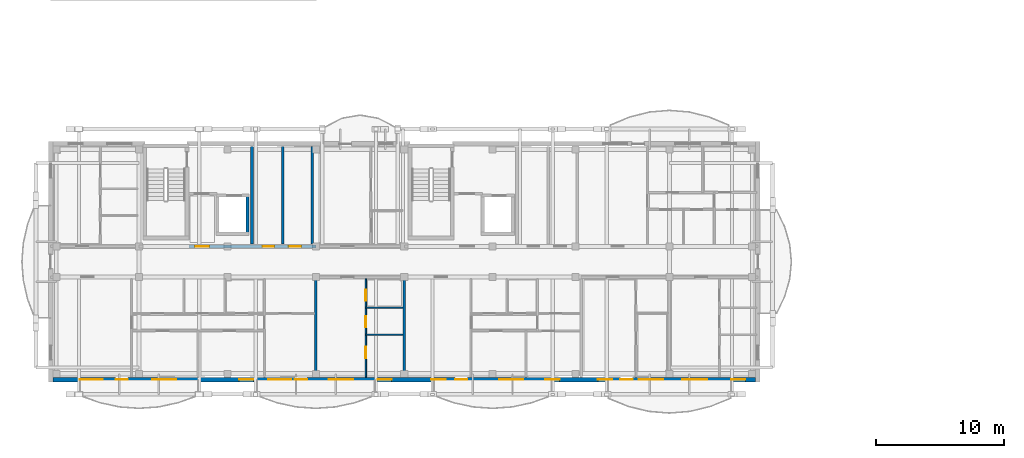
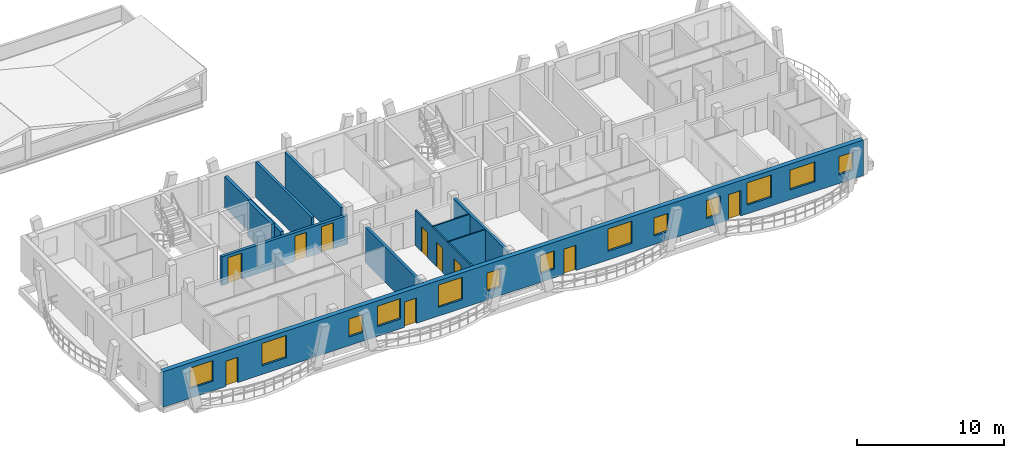
# One storey, part 18 of 50: 13 windows, 11 walls, 10 doors, 23 openings.
"""IFC4 building model written with IfcOpenShell, lengths in metres."""

from ifc_helpers import new_model, si_unit, direction, frame, frame_2d, origin, origin_with_axes, place, context, subcontext, project, spatial, rectangle, extrude, material, layer, layer_set, type_object, element, fill, save


model = new_model("IFC4")

# Units and contexts
model_context = context("Model", 3, precision=1e-05, world=origin(), true_north=direction((0.0, 1.0)))
body_context = subcontext(model_context, "Body", "Model", "MODEL_VIEW")
ifc_project = project(units=[si_unit("LENGTHUNIT", "METRE"), si_unit("AREAUNIT", "SQUARE_METRE"), si_unit("VOLUMEUNIT", "CUBIC_METRE"), si_unit("PLANEANGLEUNIT", "RADIAN"), si_unit("MASSUNIT", "GRAM", prefix="KILO")], contexts=[model_context])

# Site, building, storey
site_placement = place(None, origin())
site = spatial("IfcSite", under=ifc_project, at=site_placement, CompositionType="ELEMENT")
building_placement = place(site_placement, origin())
building = spatial("IfcBuilding", under=site, at=building_placement, Name="Zavelmont Quarter", CompositionType="ELEMENT")
storey_placement = place(building_placement, frame((0.0, 0.0, 11.199951171875)))
storey = spatial("IfcBuildingStorey", under=building, at=storey_placement, Name="L03", CompositionType="ELEMENT", Elevation=11.199951171875)

# Wall, openings, doors, windows
ifc_material_1 = material(Name="Natural Belgian limestone", Category="masonry")
ifc_layer_1 = layer(ifc_material_1, 0.360107421875)
ifc_layer_set_1 = layer_set([ifc_layer_1], Name="Natural Belgian limestone")
wall_type_1 = type_object("IfcWallType", Name="EW02", PredefinedType="STANDARD", material=ifc_layer_set_1)
wall_1_placement = place(storey_placement, frame((0.169921875, 0.0, 0.0), z_axis=(0.0, 0.0, 1.0), x_axis=(1.0, 0.0, 0.0)))
wall_1 = element("IfcWall", 1, at=wall_1_placement, inside=storey, type_object=wall_type_1, Name="L03 exterior limestone wall EW02", PredefinedType="STANDARD", context=body_context, shape_type="SweptSolid", body=[
    extrude(rectangle(XDim=54.860107421875, YDim=0.360107421875, at=frame_2d((27.43017578125, 0.0))), origin(), (0.0, 0.0, 1.0), 2.93994140625),
])
opening_1_placement = place(wall_1_placement, frame((4.90283203125, 0.0, 0.0)))
opening_1 = element("IfcOpeningElement", 2, at=opening_1_placement, cuts=wall_1, Name="Opening DR04", PredefinedType="OPENING", context=body_context, shape_type="SweptSolid", body=[
    extrude(rectangle(XDim=0.949951171875, YDim=2.10009765625, at=frame_2d((0.47509765625, 1.050048828125))), frame((0.0, 0.19189453125, 0.0), z_axis=(0.0, -1.0, 0.0), x_axis=(1.0, 0.0, 0.0)), (0.0, 0.0, 1.0), 0.384033203125),
])
opening_2_placement = place(wall_1_placement, frame((18.89990234375, 0.0, 0.0)))
opening_2 = element("IfcOpeningElement", 3, at=opening_2_placement, cuts=wall_1, Name="Opening DR04", PredefinedType="OPENING", context=body_context, shape_type="SweptSolid", body=[
    extrude(rectangle(XDim=0.949951171875, YDim=2.10009765625, at=frame_2d((0.47509765625, 1.050048828125))), frame((0.0, 0.19189453125, 0.0), z_axis=(0.0, -1.0, 0.0), x_axis=(1.0, 0.0, 0.0)), (0.0, 0.0, 1.0), 0.384033203125),
])
opening_3_placement = place(wall_1_placement, frame((31.40283203125, 0.0, 0.0)))
opening_3 = element("IfcOpeningElement", 4, at=opening_3_placement, cuts=wall_1, Name="Opening DR04", PredefinedType="OPENING", context=body_context, shape_type="SweptSolid", body=[
    extrude(rectangle(XDim=0.949951171875, YDim=2.10009765625, at=frame_2d((0.47509765625, 1.050048828125))), frame((0.0, 0.19189453125, 0.0), z_axis=(0.0, -1.0, 0.0), x_axis=(1.0, 0.0, 0.0)), (0.0, 0.0, 1.0), 0.384033203125),
])
opening_4_placement = place(wall_1_placement, frame((44.3076171875, 0.0, 0.0)))
opening_4 = element("IfcOpeningElement", 5, at=opening_4_placement, cuts=wall_1, Name="Opening DR04", PredefinedType="OPENING", context=body_context, shape_type="SweptSolid", body=[
    extrude(rectangle(XDim=0.949951171875, YDim=2.10009765625, at=frame_2d((0.47509765625, 1.050048828125))), frame((0.0, 0.19189453125, 0.0), z_axis=(0.0, -1.0, 0.0), x_axis=(1.0, 0.0, 0.0)), (0.0, 0.0, 1.0), 0.384033203125),
])
opening_5_placement = place(wall_1_placement, frame((2.10009765625, 0.0, 0.800048828125)))
opening_5 = element("IfcOpeningElement", 6, at=opening_5_placement, cuts=wall_1, Name="Opening WN02", PredefinedType="OPENING", context=body_context, shape_type="SweptSolid", body=[
    extrude(rectangle(XDim=1.800048828125, YDim=1.699951171875, at=frame_2d((0.89990234375, 0.85009765625))), frame((0.0, 0.19189453125, 0.0), z_axis=(0.0, -1.0, 0.0), x_axis=(1.0, 0.0, 0.0)), (0.0, 0.0, 1.0), 0.384033203125),
])
opening_6_placement = place(wall_1_placement, frame((7.75, 0.0, 0.719970703125)))
opening_6 = element("IfcOpeningElement", 7, at=opening_6_placement, cuts=wall_1, Name="Opening WN20", PredefinedType="OPENING", context=body_context, shape_type="SweptSolid", body=[
    extrude(rectangle(XDim=1.89990234375, YDim=1.85009765625, at=frame_2d((0.949951171875, 0.925048828125))), frame((0.0, 0.19189453125, 0.0), z_axis=(0.0, -1.0, 0.0), x_axis=(1.0, 0.0, 0.0)), (0.0, 0.0, 1.0), 0.384033203125),
])
opening_7_placement = place(wall_1_placement, frame((14.550048828125, 0.0, 0.719970703125)))
opening_7 = element("IfcOpeningElement", 8, at=opening_7_placement, cuts=wall_1, Name="Opening WN09", PredefinedType="OPENING", context=body_context, shape_type="SweptSolid", body=[
    extrude(rectangle(XDim=1.10009765625, YDim=1.5, at=frame_2d((0.550048828125, 0.75))), frame((0.0, 0.19189453125, 0.0), z_axis=(0.0, -1.0, 0.0), x_axis=(1.0, 0.0, 0.0)), (0.0, 0.0, 1.0), 0.384033203125),
])
opening_8_placement = place(wall_1_placement, frame((16.800048828125, 0.0, 0.800048828125)))
opening_8 = element("IfcOpeningElement", 9, at=opening_8_placement, cuts=wall_1, Name="Opening WN02", PredefinedType="OPENING", context=body_context, shape_type="SweptSolid", body=[
    extrude(rectangle(XDim=1.800048828125, YDim=1.699951171875, at=frame_2d((0.89990234375, 0.85009765625))), frame((0.0, 0.19189453125, 0.0), z_axis=(0.0, -1.0, 0.0), x_axis=(1.0, 0.0, 0.0)), (0.0, 0.0, 1.0), 0.384033203125),
])
opening_9_placement = place(wall_1_placement, frame((21.550048828125, 0.0, 0.719970703125)))
opening_9 = element("IfcOpeningElement", 10, at=opening_9_placement, cuts=wall_1, Name="Opening WN20", PredefinedType="OPENING", context=body_context, shape_type="SweptSolid", body=[
    extrude(rectangle(XDim=1.89990234375, YDim=1.85009765625, at=frame_2d((0.949951171875, 0.925048828125))), frame((0.0, 0.19189453125, 0.0), z_axis=(0.0, -1.0, 0.0), x_axis=(1.0, 0.0, 0.0)), (0.0, 0.0, 1.0), 0.384033203125),
])
opening_10_placement = place(wall_1_placement, frame((25.35009765625, 0.0, 0.719970703125)))
opening_10 = element("IfcOpeningElement", 11, at=opening_10_placement, cuts=wall_1, Name="Opening WN09", PredefinedType="OPENING", context=body_context, shape_type="SweptSolid", body=[
    extrude(rectangle(XDim=1.10009765625, YDim=1.5, at=frame_2d((0.550048828125, 0.75))), frame((0.0, 0.19189453125, 0.0), z_axis=(0.0, -1.0, 0.0), x_axis=(1.0, 0.0, 0.0)), (0.0, 0.0, 1.0), 0.384033203125),
])
opening_11_placement = place(wall_1_placement, frame((29.550048828125, 0.0, 0.719970703125)))
opening_11 = element("IfcOpeningElement", 12, at=opening_11_placement, cuts=wall_1, Name="Opening WN09", PredefinedType="OPENING", context=body_context, shape_type="SweptSolid", body=[
    extrude(rectangle(XDim=1.10009765625, YDim=1.5, at=frame_2d((0.550048828125, 0.75))), frame((0.0, 0.19189453125, 0.0), z_axis=(0.0, -1.0, 0.0), x_axis=(1.0, 0.0, 0.0)), (0.0, 0.0, 1.0), 0.384033203125),
])
opening_12_placement = place(wall_1_placement, frame((34.83251953125, 0.0, 0.719970703125)))
opening_12 = element("IfcOpeningElement", 13, at=opening_12_placement, cuts=wall_1, Name="Opening WN20", PredefinedType="OPENING", context=body_context, shape_type="SweptSolid", body=[
    extrude(rectangle(XDim=1.89990234375, YDim=1.85009765625, at=frame_2d((0.949951171875, 0.925048828125))), frame((0.0, 0.19189453125, 0.0), z_axis=(0.0, -1.0, 0.0), x_axis=(1.0, 0.0, 0.0)), (0.0, 0.0, 1.0), 0.384033203125),
])
opening_13_placement = place(wall_1_placement, frame((38.449951171875, 0.0, 0.719970703125)))
opening_13 = element("IfcOpeningElement", 14, at=opening_13_placement, cuts=wall_1, Name="Opening WN09", PredefinedType="OPENING", context=body_context, shape_type="SweptSolid", body=[
    extrude(rectangle(XDim=1.10009765625, YDim=1.5, at=frame_2d((0.550048828125, 0.75))), frame((0.0, 0.19189453125, 0.0), z_axis=(0.0, -1.0, 0.0), x_axis=(1.0, 0.0, 0.0)), (0.0, 0.0, 1.0), 0.384033203125),
])
opening_14_placement = place(wall_1_placement, frame((42.550048828125, 0.0, 0.719970703125)))
opening_14 = element("IfcOpeningElement", 15, at=opening_14_placement, cuts=wall_1, Name="Opening WN09", PredefinedType="OPENING", context=body_context, shape_type="SweptSolid", body=[
    extrude(rectangle(XDim=1.10009765625, YDim=1.5, at=frame_2d((0.550048828125, 0.75))), frame((0.0, 0.19189453125, 0.0), z_axis=(0.0, -1.0, 0.0), x_axis=(1.0, 0.0, 0.0)), (0.0, 0.0, 1.0), 0.384033203125),
])
opening_15_placement = place(wall_1_placement, frame((45.75, 0.0, 0.719970703125)))
opening_15 = element("IfcOpeningElement", 16, at=opening_15_placement, cuts=wall_1, Name="Opening WN20", PredefinedType="OPENING", context=body_context, shape_type="SweptSolid", body=[
    extrude(rectangle(XDim=1.89990234375, YDim=1.85009765625, at=frame_2d((0.949951171875, 0.925048828125))), frame((0.0, 0.19189453125, 0.0), z_axis=(0.0, -1.0, 0.0), x_axis=(1.0, 0.0, 0.0)), (0.0, 0.0, 1.0), 0.384033203125),
])
opening_16_placement = place(wall_1_placement, frame((49.125, 0.0, 0.800048828125)))
opening_16 = element("IfcOpeningElement", 17, at=opening_16_placement, cuts=wall_1, Name="Opening WN24", PredefinedType="OPENING", context=body_context, shape_type="SweptSolid", body=[
    extrude(rectangle(XDim=1.949951171875, YDim=1.64990234375, at=frame_2d((0.97509765625, 0.824951171875))), frame((0.0, 0.19189453125, 0.0), z_axis=(0.0, -1.0, 0.0), x_axis=(1.0, 0.0, 0.0)), (0.0, 0.0, 1.0), 0.384033203125),
])
opening_17_placement = place(wall_1_placement, frame((52.949951171875, 0.0, 0.719970703125)))
opening_17 = element("IfcOpeningElement", 18, at=opening_17_placement, cuts=wall_1, Name="Opening WN09", PredefinedType="OPENING", context=body_context, shape_type="SweptSolid", body=[
    extrude(rectangle(XDim=1.10009765625, YDim=1.5, at=frame_2d((0.550048828125, 0.75))), frame((0.0, 0.19189453125, 0.0), z_axis=(0.0, -1.0, 0.0), x_axis=(1.0, 0.0, 0.0)), (0.0, 0.0, 1.0), 0.384033203125),
])
ifc_material_2 = material(Name="Thermally broken aluminium and double safety glass", Category="aluminium")
door_type_1 = type_object("IfcDoorType", Name="DR04", OperationType="NOTDEFINED", PredefinedType="DOOR", material=ifc_material_2)
door_1_placement = place(opening_1_placement, origin_with_axes())
door_1 = element("IfcDoor", 19, at=door_1_placement, inside=storey, type_object=door_type_1, Name="Block A L03 glazed balcony door", OperationType="SINGLE_SWING_RIGHT", OverallHeight=2.10009765625, OverallWidth=0.949951171875, PredefinedType="DOOR", context=body_context, shape_type="SweptSolid", body=[
    extrude(rectangle(XDim=0.949951171875, YDim=2.10009765625, at=frame_2d((0.47509765625, 1.050048828125))), frame((0.0, 0.02490234375, 0.0), z_axis=(0.0, -1.0, 0.0), x_axis=(1.0, 0.0, 0.0)), (0.0, 0.0, 1.0), 0.050048828125),
])
fill(opening_1, door_1)
door_2_placement = place(opening_2_placement, origin_with_axes())
door_2 = element("IfcDoor", 20, at=door_2_placement, inside=storey, type_object=door_type_1, Name="Block A L03 glazed balcony door", OperationType="SINGLE_SWING_RIGHT", OverallHeight=2.10009765625, OverallWidth=0.949951171875, PredefinedType="DOOR", context=body_context, shape_type="SweptSolid", body=[
    extrude(rectangle(XDim=0.949951171875, YDim=2.10009765625, at=frame_2d((0.47509765625, 1.050048828125))), frame((0.0, 0.02490234375, 0.0), z_axis=(0.0, -1.0, 0.0), x_axis=(1.0, 0.0, 0.0)), (0.0, 0.0, 1.0), 0.050048828125),
])
fill(opening_2, door_2)
door_3_placement = place(opening_3_placement, origin_with_axes())
door_3 = element("IfcDoor", 21, at=door_3_placement, inside=storey, type_object=door_type_1, Name="Block A L03 glazed balcony door", OperationType="SINGLE_SWING_RIGHT", OverallHeight=2.10009765625, OverallWidth=0.949951171875, PredefinedType="DOOR", context=body_context, shape_type="SweptSolid", body=[
    extrude(rectangle(XDim=0.949951171875, YDim=2.10009765625, at=frame_2d((0.47509765625, 1.050048828125))), frame((0.0, 0.02490234375, 0.0), z_axis=(0.0, -1.0, 0.0), x_axis=(1.0, 0.0, 0.0)), (0.0, 0.0, 1.0), 0.050048828125),
])
fill(opening_3, door_3)
door_4_placement = place(opening_4_placement, origin_with_axes())
door_4 = element("IfcDoor", 22, at=door_4_placement, inside=storey, type_object=door_type_1, Name="Block A L03 glazed balcony door", OperationType="SINGLE_SWING_RIGHT", OverallHeight=2.10009765625, OverallWidth=0.949951171875, PredefinedType="DOOR", context=body_context, shape_type="SweptSolid", body=[
    extrude(rectangle(XDim=0.949951171875, YDim=2.10009765625, at=frame_2d((0.47509765625, 1.050048828125))), frame((0.0, 0.02490234375, 0.0), z_axis=(0.0, -1.0, 0.0), x_axis=(1.0, 0.0, 0.0)), (0.0, 0.0, 1.0), 0.050048828125),
])
fill(opening_4, door_4)
ifc_material_3 = material(Name="Double low-E insulated glazing in thermally broken aluminium frame", Category="aluminium")
window_type_1 = type_object("IfcWindowType", Name="WN02", PartitioningType="SINGLE_PANEL", PredefinedType="WINDOW", material=ifc_material_3)
window_1_placement = place(opening_5_placement, origin_with_axes())
window_1 = element("IfcWindow", 23, at=window_1_placement, inside=storey, type_object=window_type_1, Name="L03 window WN02", OverallHeight=1.699951171875, OverallWidth=1.800048828125, PartitioningType="SINGLE_PANEL", PredefinedType="WINDOW", context=body_context, shape_type="SweptSolid", body=[
    extrude(rectangle(XDim=1.800048828125, YDim=1.699951171875, at=frame_2d((0.89990234375, 0.85009765625))), frame((0.0, 0.030029296875, 0.0), z_axis=(0.0, -1.0, 0.0), x_axis=(1.0, 0.0, 0.0)), (0.0, 0.0, 1.0), 0.06005859375),
])
fill(opening_5, window_1)
window_2_placement = place(opening_8_placement, origin_with_axes())
window_2 = element("IfcWindow", 24, at=window_2_placement, inside=storey, type_object=window_type_1, Name="L03 window WN02", OverallHeight=1.699951171875, OverallWidth=1.800048828125, PartitioningType="SINGLE_PANEL", PredefinedType="WINDOW", context=body_context, shape_type="SweptSolid", body=[
    extrude(rectangle(XDim=1.800048828125, YDim=1.699951171875, at=frame_2d((0.89990234375, 0.85009765625))), frame((0.0, 0.030029296875, 0.0), z_axis=(0.0, -1.0, 0.0), x_axis=(1.0, 0.0, 0.0)), (0.0, 0.0, 1.0), 0.06005859375),
])
fill(opening_8, window_2)
window_type_2 = type_object("IfcWindowType", Name="WN09", PartitioningType="SINGLE_PANEL", PredefinedType="WINDOW", material=ifc_material_3)
window_3_placement = place(opening_7_placement, origin_with_axes())
window_3 = element("IfcWindow", 25, at=window_3_placement, inside=storey, type_object=window_type_2, Name="L03 window WN09", OverallHeight=1.5, OverallWidth=1.10009765625, PartitioningType="SINGLE_PANEL", PredefinedType="WINDOW", context=body_context, shape_type="SweptSolid", body=[
    extrude(rectangle(XDim=1.10009765625, YDim=1.5, at=frame_2d((0.550048828125, 0.75))), frame((0.0, 0.030029296875, 0.0), z_axis=(0.0, -1.0, 0.0), x_axis=(1.0, 0.0, 0.0)), (0.0, 0.0, 1.0), 0.06005859375),
])
fill(opening_7, window_3)
window_4_placement = place(opening_10_placement, origin_with_axes())
window_4 = element("IfcWindow", 26, at=window_4_placement, inside=storey, type_object=window_type_2, Name="L03 window WN09", OverallHeight=1.5, OverallWidth=1.10009765625, PartitioningType="SINGLE_PANEL", PredefinedType="WINDOW", context=body_context, shape_type="SweptSolid", body=[
    extrude(rectangle(XDim=1.10009765625, YDim=1.5, at=frame_2d((0.550048828125, 0.75))), frame((0.0, 0.030029296875, 0.0), z_axis=(0.0, -1.0, 0.0), x_axis=(1.0, 0.0, 0.0)), (0.0, 0.0, 1.0), 0.06005859375),
])
fill(opening_10, window_4)
window_5_placement = place(opening_11_placement, origin_with_axes())
window_5 = element("IfcWindow", 27, at=window_5_placement, inside=storey, type_object=window_type_2, Name="L03 window WN09", OverallHeight=1.5, OverallWidth=1.10009765625, PartitioningType="SINGLE_PANEL", PredefinedType="WINDOW", context=body_context, shape_type="SweptSolid", body=[
    extrude(rectangle(XDim=1.10009765625, YDim=1.5, at=frame_2d((0.550048828125, 0.75))), frame((0.0, 0.030029296875, 0.0), z_axis=(0.0, -1.0, 0.0), x_axis=(1.0, 0.0, 0.0)), (0.0, 0.0, 1.0), 0.06005859375),
])
fill(opening_11, window_5)
window_6_placement = place(opening_13_placement, origin_with_axes())
window_6 = element("IfcWindow", 28, at=window_6_placement, inside=storey, type_object=window_type_2, Name="L03 window WN09", OverallHeight=1.5, OverallWidth=1.10009765625, PartitioningType="SINGLE_PANEL", PredefinedType="WINDOW", context=body_context, shape_type="SweptSolid", body=[
    extrude(rectangle(XDim=1.10009765625, YDim=1.5, at=frame_2d((0.550048828125, 0.75))), frame((0.0, 0.030029296875, 0.0), z_axis=(0.0, -1.0, 0.0), x_axis=(1.0, 0.0, 0.0)), (0.0, 0.0, 1.0), 0.06005859375),
])
fill(opening_13, window_6)
window_7_placement = place(opening_14_placement, origin_with_axes())
window_7 = element("IfcWindow", 29, at=window_7_placement, inside=storey, type_object=window_type_2, Name="L03 window WN09", OverallHeight=1.5, OverallWidth=1.10009765625, PartitioningType="SINGLE_PANEL", PredefinedType="WINDOW", context=body_context, shape_type="SweptSolid", body=[
    extrude(rectangle(XDim=1.10009765625, YDim=1.5, at=frame_2d((0.550048828125, 0.75))), frame((0.0, 0.030029296875, 0.0), z_axis=(0.0, -1.0, 0.0), x_axis=(1.0, 0.0, 0.0)), (0.0, 0.0, 1.0), 0.06005859375),
])
fill(opening_14, window_7)
window_8_placement = place(opening_17_placement, origin_with_axes())
window_8 = element("IfcWindow", 30, at=window_8_placement, inside=storey, type_object=window_type_2, Name="L03 window WN09", OverallHeight=1.5, OverallWidth=1.10009765625, PartitioningType="SINGLE_PANEL", PredefinedType="WINDOW", context=body_context, shape_type="SweptSolid", body=[
    extrude(rectangle(XDim=1.10009765625, YDim=1.5, at=frame_2d((0.550048828125, 0.75))), frame((0.0, 0.030029296875, 0.0), z_axis=(0.0, -1.0, 0.0), x_axis=(1.0, 0.0, 0.0)), (0.0, 0.0, 1.0), 0.06005859375),
])
fill(opening_17, window_8)
window_type_3 = type_object("IfcWindowType", Name="WN20", PartitioningType="SINGLE_PANEL", PredefinedType="WINDOW", material=ifc_material_3)
window_9_placement = place(opening_6_placement, origin_with_axes())
window_9 = element("IfcWindow", 31, at=window_9_placement, inside=storey, type_object=window_type_3, Name="L03 window WN20", OverallHeight=1.85009765625, OverallWidth=1.89990234375, PartitioningType="SINGLE_PANEL", PredefinedType="WINDOW", context=body_context, shape_type="SweptSolid", body=[
    extrude(rectangle(XDim=1.89990234375, YDim=1.85009765625, at=frame_2d((0.949951171875, 0.925048828125))), frame((0.0, 0.030029296875, 0.0), z_axis=(0.0, -1.0, 0.0), x_axis=(1.0, 0.0, 0.0)), (0.0, 0.0, 1.0), 0.06005859375),
])
fill(opening_6, window_9)
window_10_placement = place(opening_9_placement, origin_with_axes())
window_10 = element("IfcWindow", 32, at=window_10_placement, inside=storey, type_object=window_type_3, Name="L03 window WN20", OverallHeight=1.85009765625, OverallWidth=1.89990234375, PartitioningType="SINGLE_PANEL", PredefinedType="WINDOW", context=body_context, shape_type="SweptSolid", body=[
    extrude(rectangle(XDim=1.89990234375, YDim=1.85009765625, at=frame_2d((0.949951171875, 0.925048828125))), frame((0.0, 0.030029296875, 0.0), z_axis=(0.0, -1.0, 0.0), x_axis=(1.0, 0.0, 0.0)), (0.0, 0.0, 1.0), 0.06005859375),
])
fill(opening_9, window_10)
window_11_placement = place(opening_12_placement, origin_with_axes())
window_11 = element("IfcWindow", 33, at=window_11_placement, inside=storey, type_object=window_type_3, Name="L03 window WN20", OverallHeight=1.85009765625, OverallWidth=1.89990234375, PartitioningType="SINGLE_PANEL", PredefinedType="WINDOW", context=body_context, shape_type="SweptSolid", body=[
    extrude(rectangle(XDim=1.89990234375, YDim=1.85009765625, at=frame_2d((0.949951171875, 0.925048828125))), frame((0.0, 0.030029296875, 0.0), z_axis=(0.0, -1.0, 0.0), x_axis=(1.0, 0.0, 0.0)), (0.0, 0.0, 1.0), 0.06005859375),
])
fill(opening_12, window_11)
window_12_placement = place(opening_15_placement, origin_with_axes())
window_12 = element("IfcWindow", 34, at=window_12_placement, inside=storey, type_object=window_type_3, Name="L03 window WN20", OverallHeight=1.85009765625, OverallWidth=1.89990234375, PartitioningType="SINGLE_PANEL", PredefinedType="WINDOW", context=body_context, shape_type="SweptSolid", body=[
    extrude(rectangle(XDim=1.89990234375, YDim=1.85009765625, at=frame_2d((0.949951171875, 0.925048828125))), frame((0.0, 0.030029296875, 0.0), z_axis=(0.0, -1.0, 0.0), x_axis=(1.0, 0.0, 0.0)), (0.0, 0.0, 1.0), 0.06005859375),
])
fill(opening_15, window_12)
window_type_4 = type_object("IfcWindowType", Name="WN24", PartitioningType="SINGLE_PANEL", PredefinedType="WINDOW", material=ifc_material_3)
window_13_placement = place(opening_16_placement, origin_with_axes())
window_13 = element("IfcWindow", 35, at=window_13_placement, inside=storey, type_object=window_type_4, Name="L03 window WN24", OverallHeight=1.64990234375, OverallWidth=1.949951171875, PartitioningType="SINGLE_PANEL", PredefinedType="WINDOW", context=body_context, shape_type="SweptSolid", body=[
    extrude(rectangle(XDim=1.949951171875, YDim=1.64990234375, at=frame_2d((0.97509765625, 0.824951171875))), frame((0.0, 0.030029296875, 0.0), z_axis=(0.0, -1.0, 0.0), x_axis=(1.0, 0.0, 0.0)), (0.0, 0.0, 1.0), 0.06005859375),
])
fill(opening_16, window_13)

# Walls
ifc_material_4 = material(Name="Calcium-silicate blockwork and acoustic plaster", Category="masonry")
ifc_layer_2 = layer(ifc_material_4, 0.199951171875)
ifc_layer_set_2 = layer_set([ifc_layer_2], Name="Calcium-silicate blockwork and acoustic plaster")
wall_type_2 = type_object("IfcWallType", Name="IW01", PredefinedType="PARTITIONING", material=ifc_layer_set_2)
for number, where, z_axis, x_axis, name in (
    (36, (18.125, 10.60009765625, 0.0), (0.0, 0.0, 1.0), (0.0, 1.0, 0.0), "L03 Service riser divider wall IW01"),
    (37, (20.419921875, 10.60009765625, 0.0), (0.0, 0.0, 1.0), (0.0, 1.0, 0.0), "L03 Core service end wall IW01"),
):
    element("IfcWall", number, at=place(storey_placement, frame(where, z_axis=z_axis, x_axis=x_axis)), inside=storey, type_object=wall_type_2, Name=name, PredefinedType="PARTITIONING", context=body_context, shape_type="SweptSolid", body=[
        extrude(rectangle(XDim=7.599853515625, YDim=0.199951171875, at=frame_2d((3.7998046875, 0.0))), origin(), (0.0, 0.0, 1.0), 2.93994140625),
    ])
for number, where, z_axis, x_axis, name in (
    (38, (20.699951171875, 7.85009765625, 0.0), (0.0, 0.0, 1.0), (0.0, -1.0, 0.0), "L03 Inter-dwelling compartment wall IW01"),
    (39, (27.60009765625, 7.85009765625, 0.0), (0.0, 0.0, 1.0), (0.0, -1.0, 0.0), "L03 Inter-dwelling compartment wall IW01"),
):
    element("IfcWall", number, at=place(storey_placement, frame(where, z_axis=z_axis, x_axis=x_axis)), inside=storey, type_object=wall_type_2, Name=name, PredefinedType="PARTITIONING", context=body_context, shape_type="SweptSolid", body=[
        extrude(rectangle(XDim=7.7001953125, YDim=0.199951171875, at=frame_2d((3.85009765625, 0.0))), origin(), (0.0, 0.0, 1.0), 2.93994140625),
    ])
ifc_material_5 = material(Name="Reinforced masonry fire compartment wall", Category="masonry")
ifc_layer_3 = layer(ifc_material_5, 0.22509765625)
ifc_layer_set_3 = layer_set([ifc_layer_3], Name="Reinforced masonry fire compartment wall")
wall_type_3 = type_object("IfcWallType", Name="IW02", PredefinedType="PARTITIONING", material=ifc_layer_set_3)
wall_2_placement = place(storey_placement, frame((15.7099609375, 10.60009765625, 0.0), z_axis=(0.0, 0.0, 1.0), x_axis=(0.0, 1.0, 0.0)))
element("IfcWall", 40, at=wall_2_placement, inside=storey, type_object=wall_type_3, Name="L03 Firefighting lobby enclosure wall IW02", PredefinedType="PARTITIONING", context=body_context, shape_type="SweptSolid", body=[
    extrude(rectangle(XDim=7.599853515625, YDim=0.22509765625, at=frame_2d((3.7998046875, 0.0))), origin(), (0.0, 0.0, 1.0), 2.590087890625),
])

# Wall, openings, doors
wall_3_placement = place(storey_placement, frame((10.800048828125, 10.39990234375, 0.0), z_axis=(0.0, 0.0, 1.0), x_axis=(1.0, 0.0, 0.0)))
wall_3 = element("IfcWall", 41, at=wall_3_placement, inside=storey, type_object=wall_type_3, Name="L03 Core corridor fire wall IW02", PredefinedType="PARTITIONING", context=body_context, shape_type="SweptSolid", body=[
    extrude(rectangle(XDim=9.89990234375, YDim=0.22509765625, at=frame_2d((4.949951171875, 0.0))), origin(), (0.0, 0.0, 1.0), 2.380126953125),
])
opening_18_placement = place(wall_3_placement, frame((0.47509765625, 0.0, 0.0)))
opening_18 = element("IfcOpeningElement", 42, at=opening_18_placement, cuts=wall_3, Name="Opening DR10", PredefinedType="OPENING", context=body_context, shape_type="SweptSolid", body=[
    extrude(rectangle(XDim=1.10009765625, YDim=2.14990234375, at=frame_2d((0.550048828125, 1.074951171875))), frame((0.0, 0.12451171875, 0.0), z_axis=(0.0, -1.0, 0.0), x_axis=(1.0, 0.0, 0.0)), (0.0, 0.0, 1.0), 0.2490234375),
])
opening_19_placement = place(wall_3_placement, frame((5.75, 0.0, 0.0)))
opening_19 = element("IfcOpeningElement", 43, at=opening_19_placement, cuts=wall_3, Name="Opening DR11", PredefinedType="OPENING", context=body_context, shape_type="SweptSolid", body=[
    extrude(rectangle(XDim=0.89990234375, YDim=2.10009765625, at=frame_2d((0.449951171875, 1.050048828125))), frame((0.0, 0.12451171875, 0.0), z_axis=(0.0, -1.0, 0.0), x_axis=(1.0, 0.0, 0.0)), (0.0, 0.0, 1.0), 0.2490234375),
])
opening_20_placement = place(wall_3_placement, frame((7.800048828125, 0.0, 0.0)))
opening_20 = element("IfcOpeningElement", 44, at=opening_20_placement, cuts=wall_3, Name="Opening DR02", PredefinedType="OPENING", context=body_context, shape_type="SweptSolid", body=[
    extrude(rectangle(XDim=0.949951171875, YDim=2.14990234375, at=frame_2d((0.47509765625, 1.074951171875))), frame((0.0, 0.12451171875, 0.0), z_axis=(0.0, -1.0, 0.0), x_axis=(1.0, 0.0, 0.0)), (0.0, 0.0, 1.0), 0.2490234375),
])
ifc_material_6 = material(Name="Solid-core oak fire leaf in steel frame", Category="steel")
door_type_2 = type_object("IfcDoorType", Name="DR02", OperationType="NOTDEFINED", PredefinedType="DOOR", material=ifc_material_6)
door_5_placement = place(opening_20_placement, frame((0.949951171875, 0.0, 0.0), z_axis=(0.0, 0.0, 1.0), x_axis=(-1.0, 0.0, 0.0)))
door_5 = element("IfcDoor", 45, at=door_5_placement, inside=storey, type_object=door_type_2, Name="Auxiliary store corridor door", OperationType="SINGLE_SWING_RIGHT", OverallHeight=2.14990234375, OverallWidth=0.949951171875, PredefinedType="DOOR", context=body_context, shape_type="SweptSolid", body=[
    extrude(rectangle(XDim=0.949951171875, YDim=2.14990234375, at=frame_2d((0.47509765625, 1.074951171875))), frame((0.0, 0.02490234375, 0.0), z_axis=(0.0, -1.0, 0.0), x_axis=(1.0, 0.0, 0.0)), (0.0, 0.0, 1.0), 0.050048828125),
])
fill(opening_20, door_5)
ifc_material_7 = material(Name="Painted steel lobby fire door", Category="steel")
door_type_3 = type_object("IfcDoorType", Name="DR10", OperationType="NOTDEFINED", PredefinedType="DOOR", material=ifc_material_7)
door_6_placement = place(opening_18_placement, origin_with_axes())
door_6 = element("IfcDoor", 46, at=door_6_placement, inside=storey, type_object=door_type_3, Name="Core vestibule fire door", OperationType="SINGLE_SWING_RIGHT", OverallHeight=2.14990234375, OverallWidth=1.10009765625, PredefinedType="DOOR", context=body_context, shape_type="SweptSolid", body=[
    extrude(rectangle(XDim=1.10009765625, YDim=2.14990234375, at=frame_2d((0.550048828125, 1.074951171875))), frame((0.0, 0.02490234375, 0.0), z_axis=(0.0, -1.0, 0.0), x_axis=(1.0, 0.0, 0.0)), (0.0, 0.0, 1.0), 0.050048828125),
])
fill(opening_18, door_6)
ifc_material_8 = material(Name="Painted steel service-riser fire door", Category="steel")
door_type_4 = type_object("IfcDoorType", Name="DR11", OperationType="NOTDEFINED", PredefinedType="DOOR", material=ifc_material_8)
door_7_placement = place(opening_19_placement, frame((0.89990234375, 0.0, 0.0), z_axis=(0.0, 0.0, 1.0), x_axis=(-1.0, 0.0, 0.0)))
door_7 = element("IfcDoor", 47, at=door_7_placement, inside=storey, type_object=door_type_4, Name="Service riser fire door", OperationType="SINGLE_SWING_LEFT", OverallHeight=2.10009765625, OverallWidth=0.89990234375, PredefinedType="DOOR", context=body_context, shape_type="SweptSolid", body=[
    extrude(rectangle(XDim=0.89990234375, YDim=2.10009765625, at=frame_2d((0.449951171875, 1.050048828125))), frame((0.0, 0.02490234375, 0.0), z_axis=(0.0, -1.0, 0.0), x_axis=(1.0, 0.0, 0.0)), (0.0, 0.0, 1.0), 0.050048828125),
])
fill(opening_19, door_7)

ifc_material_9 = material(Name="Double gypsum board on acoustic steel stud", Category="steel")
ifc_layer_4 = layer(ifc_material_9, 0.125)
ifc_layer_set_4 = layer_set([ifc_layer_4], Name="Double gypsum board on acoustic steel stud")
wall_type_4 = type_object("IfcWallType", Name="IW03", PredefinedType="PARTITIONING", material=ifc_layer_set_4)
wall_4_placement = place(storey_placement, frame((24.60009765625, 7.85009765625, 0.0), z_axis=(0.0, 0.0, 1.0), x_axis=(0.0, -1.0, 0.0)))
wall_4 = element("IfcWall", 48, at=wall_4_placement, inside=storey, type_object=wall_type_4, Name="L03 Partition IW03", PredefinedType="PARTITIONING", context=body_context, shape_type="SweptSolid", body=[
    extrude(rectangle(XDim=7.650146484375, YDim=0.125, at=frame_2d((3.8251953125, 0.0))), origin(), (0.0, 0.0, 1.0), 2.93994140625),
])
opening_21_placement = place(wall_4_placement, frame((0.85009765625, 0.0, 0.0)))
opening_21 = element("IfcOpeningElement", 49, at=opening_21_placement, cuts=wall_4, Name="Opening DR16", PredefinedType="OPENING", context=body_context, shape_type="SweptSolid", body=[
    extrude(rectangle(XDim=0.85009765625, YDim=2.10009765625, at=frame_2d((0.425048828125, 1.050048828125))), frame((0.0, 0.074462890625, 0.0), z_axis=(0.0, -1.0, 0.0), x_axis=(1.0, 0.0, 0.0)), (0.0, 0.0, 1.0), 0.14892578125),
])
opening_22_placement = place(wall_4_placement, frame((2.89990234375, 0.0, 0.0)))
opening_22 = element("IfcOpeningElement", 50, at=opening_22_placement, cuts=wall_4, Name="Opening DR06", PredefinedType="OPENING", context=body_context, shape_type="SweptSolid", body=[
    extrude(rectangle(XDim=0.85009765625, YDim=2.050048828125, at=frame_2d((0.425048828125, 1.02490234375))), frame((0.0, 0.074462890625, 0.0), z_axis=(0.0, -1.0, 0.0), x_axis=(1.0, 0.0, 0.0)), (0.0, 0.0, 1.0), 0.14892578125),
])
opening_23_placement = place(wall_4_placement, frame((5.300048828125, 0.0, 0.0)))
opening_23 = element("IfcOpeningElement", 51, at=opening_23_placement, cuts=wall_4, Name="Opening DR05", PredefinedType="OPENING", context=body_context, shape_type="SweptSolid", body=[
    extrude(rectangle(XDim=0.89990234375, YDim=2.10009765625, at=frame_2d((0.449951171875, 1.050048828125))), frame((0.0, 0.074462890625, 0.0), z_axis=(0.0, -1.0, 0.0), x_axis=(1.0, 0.0, 0.0)), (0.0, 0.0, 1.0), 0.14892578125),
])
ifc_material_10 = material(Name="Engineered oak flush interior door")
door_type_5 = type_object("IfcDoorType", Name="DR05", OperationType="NOTDEFINED", PredefinedType="DOOR", material=ifc_material_10)
door_8_placement = place(opening_23_placement, frame((0.89990234375, 0.0, 0.0), z_axis=(0.0, 0.0, 1.0), x_axis=(-1.0, 0.0, 0.0)))
door_8 = element("IfcDoor", 52, at=door_8_placement, inside=storey, type_object=door_type_5, Name="L03 door DR05", OperationType="SINGLE_SWING_LEFT", OverallHeight=2.10009765625, OverallWidth=0.89990234375, PredefinedType="DOOR", context=body_context, shape_type="SweptSolid", body=[
    extrude(rectangle(XDim=0.89990234375, YDim=2.10009765625, at=frame_2d((0.449951171875, 1.050048828125))), frame((0.0, 0.02490234375, 0.0), z_axis=(0.0, -1.0, 0.0), x_axis=(1.0, 0.0, 0.0)), (0.0, 0.0, 1.0), 0.050048828125),
])
fill(opening_23, door_8)
ifc_material_11 = material(Name="Moisture-resistant painted wet-room door")
door_type_6 = type_object("IfcDoorType", Name="DR06", OperationType="NOTDEFINED", PredefinedType="DOOR", material=ifc_material_11)
door_9_placement = place(opening_22_placement, origin_with_axes())
door_9 = element("IfcDoor", 53, at=door_9_placement, inside=storey, type_object=door_type_6, Name="L03 door DR06", OperationType="SINGLE_SWING_RIGHT", OverallHeight=2.050048828125, OverallWidth=0.85009765625, PredefinedType="DOOR", context=body_context, shape_type="SweptSolid", body=[
    extrude(rectangle(XDim=0.85009765625, YDim=2.050048828125, at=frame_2d((0.425048828125, 1.02490234375))), frame((0.0, 0.02490234375, 0.0), z_axis=(0.0, -1.0, 0.0), x_axis=(1.0, 0.0, 0.0)), (0.0, 0.0, 1.0), 0.050048828125),
])
fill(opening_22, door_9)
door_type_7 = type_object("IfcDoorType", Name="DR16", OperationType="NOTDEFINED", PredefinedType="DOOR", material=ifc_material_10)
door_10_placement = place(opening_21_placement, frame((0.85009765625, 0.0, 0.0), z_axis=(0.0, 0.0, 1.0), x_axis=(-1.0, 0.0, 0.0)))
door_10 = element("IfcDoor", 54, at=door_10_placement, inside=storey, type_object=door_type_7, Name="L03 door DR16", OperationType="SINGLE_SWING_LEFT", OverallHeight=2.10009765625, OverallWidth=0.85009765625, PredefinedType="DOOR", context=body_context, shape_type="SweptSolid", body=[
    extrude(rectangle(XDim=0.85009765625, YDim=2.10009765625, at=frame_2d((0.425048828125, 1.050048828125))), frame((0.0, 0.02490234375, 0.0), z_axis=(0.0, -1.0, 0.0), x_axis=(1.0, 0.0, 0.0)), (0.0, 0.0, 1.0), 0.050048828125),
])
fill(opening_21, door_10)

# Walls
ifc_material_12 = material(Name="Moisture-resistant gypsum board on steel stud", Category="steel")
ifc_layer_5 = layer(ifc_material_12, 0.10009765625)
ifc_layer_set_5 = layer_set([ifc_layer_5], Name="Moisture-resistant gypsum board on steel stud")
wall_type_5 = type_object("IfcWallType", Name="IW04", PredefinedType="PARTITIONING", material=ifc_layer_set_5)
for number, where, z_axis, x_axis, name in (
    (55, (24.60009765625, 5.60009765625, 0.0), (0.0, 0.0, 1.0), (1.0, 0.0, 0.0), "L03 Partition IW04"),
    (56, (24.60009765625, 3.5, 0.0), (0.0, 0.0, 1.0), (1.0, 0.0, 0.0), "L03 Partition IW04"),
):
    element("IfcWall", number, at=place(storey_placement, frame(where, z_axis=z_axis, x_axis=x_axis)), inside=storey, type_object=wall_type_5, Name=name, PredefinedType="PARTITIONING", context=body_context, shape_type="SweptSolid", body=[
        extrude(rectangle(XDim=2.89990234375, YDim=0.10009765625, at=frame_2d((1.449951171875, 0.0))), origin(), (0.0, 0.0, 1.0), 2.93994140625),
    ])
ifc_material_13 = material(Name="Concrete C40/50", Category="concrete")
ifc_layer_6 = layer(ifc_material_13, 0.25)
ifc_layer_set_6 = layer_set([ifc_layer_6], Name="Concrete C40/50")
wall_type_6 = type_object("IfcWallType", Name="SW02", PredefinedType="SHEAR", material=ifc_layer_set_6)
wall_5_placement = place(storey_placement, frame((15.375, 11.25, 0.0), z_axis=(0.0, 0.0, 1.0), x_axis=(0.0, 1.0, 0.0)))
element("IfcWall", 57, at=wall_5_placement, inside=storey, type_object=wall_type_6, Name="L03 Lift FL01 east shaft wall SW02", PredefinedType="SHEAR", context=body_context, shape_type="SweptSolid", body=[
    extrude(rectangle(XDim=3.25, YDim=0.25, at=frame_2d((1.625, 0.0))), origin(), (0.0, 0.0, 1.0), 2.93994140625),
])

save(model, "model.ifc")
